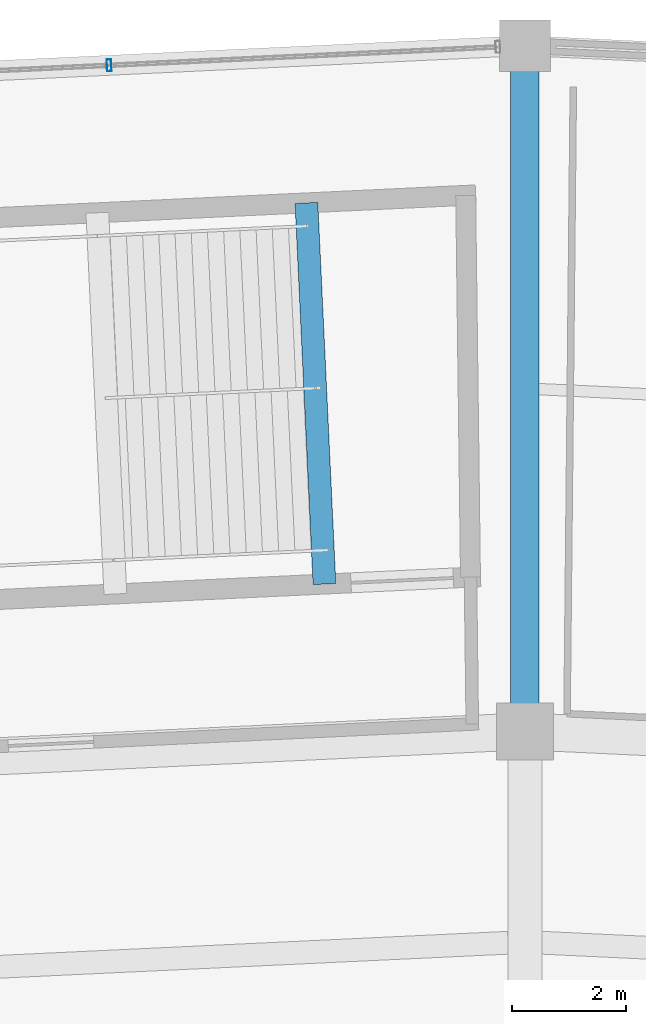
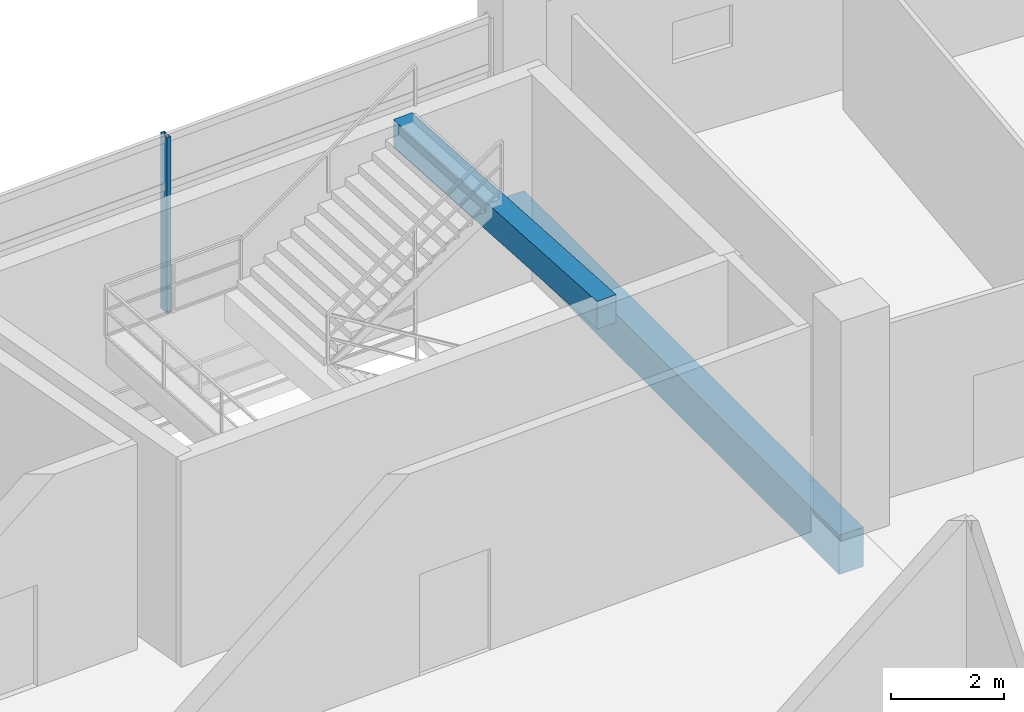
# One storey, part 105 of 171: 2 beams, 1 member, 1 element without a shape of its own.
"""IFC4 building model written with IfcOpenShell, lengths in metres."""

import ifcopenshell
import ifcopenshell.guid

model = None  # the IFC model being written
_history = None  # IfcOwnerHistory: only IFC2X3 demands one
_inside = {}  # id of a spatial element -> (the spatial element, [elements in it])
_under = {}  # id of a project, library or spatial element -> (it, [spatial elements below it])
_declared = {}  # id of a project -> (the project, [libraries it declares])
_typed = {}  # id of a type object -> (the type object, [elements of that type])
_made_of = {}  # id of a material, layer set ... -> (it, [elements and type objects made of it])


def new_model(schema):
    """Start an empty IFC model of exactly this schema.

    Asked for "IFC4X3", IfcOpenShell would pick the latest addendum, in which some entities
    have other attributes; the version numbers below select the first issue.
    IFC2X3 requires an IfcOwnerHistory on every rooted entity: one is made here for all.
    """
    global model, _history
    if schema == "IFC4X3":
        model = ifcopenshell.file(schema_version=(4, 3, 0, 0))
    else:
        model = ifcopenshell.file(schema=schema)
    _inside.clear()
    _under.clear()
    _declared.clear()
    _typed.clear()
    _made_of.clear()
    _history = None
    if model.schema == "IFC2X3":
        org = make("IfcOrganization", Name="unknown")
        user = make(
            "IfcPersonAndOrganization",
            ThePerson=make("IfcPerson", FamilyName="unknown"),
            TheOrganization=org,
        )
        app = make(
            "IfcApplication",
            ApplicationDeveloper=org,
            Version="unknown",
            ApplicationFullName="unknown",
            ApplicationIdentifier="unknown",
        )
        _history = make(
            "IfcOwnerHistory",
            OwningUser=user,
            OwningApplication=app,
            ChangeAction="ADDED",
            CreationDate=0,
        )
    return model


def make(cls, **values):
    """One entity of the class cls with the attributes given. An attribute that is None is left unset."""
    return model.create_entity(
        cls, **{name: value for name, value in values.items() if value is not None}
    )


def rooted(cls, **values):
    """An entity with a GlobalId (a new one), such as an element, a storey or a relation."""
    return make(cls, GlobalId=ifcopenshell.guid.new(), OwnerHistory=_history, **values)


def si_unit(unit_type, name, prefix=None):
    """IfcSIUnit, for example si_unit("LENGTHUNIT", "METRE", prefix="MILLI")."""
    return make("IfcSIUnit", UnitType=unit_type, Prefix=prefix, Name=name)


def assignment(units):
    """IfcUnitAssignment: the units of a project."""
    return None if units is None else make("IfcUnitAssignment", Units=units)


def point(xyz):
    """IfcCartesianPoint."""
    return None if xyz is None else make("IfcCartesianPoint", Coordinates=xyz)


def direction(xyz):
    """IfcDirection."""
    return None if xyz is None else make("IfcDirection", DirectionRatios=xyz)


def frame(location, z_axis=None, x_axis=None):
    """IfcAxis2Placement3D, a coordinate frame: its origin and axes. An axis left out is left unset."""
    return make(
        "IfcAxis2Placement3D",
        Location=point(location),
        Axis=direction(z_axis),
        RefDirection=direction(x_axis),
    )


def frame_2d(location, x_axis=None):
    """IfcAxis2Placement2D, a coordinate frame in the plane: its origin and x axis."""
    return make(
        "IfcAxis2Placement2D", Location=point(location), RefDirection=direction(x_axis)
    )


def origin():
    """The frame at (0, 0, 0) with its axes left unset."""
    return frame((0.0, 0.0, 0.0))


def origin_2d():
    """The frame at (0, 0) in the plane with its x axis left unset."""
    return frame_2d((0.0, 0.0))


def place(relative_to, where):
    """IfcLocalPlacement: puts the frame where relative to a parent placement (None: the world)."""
    return make(
        "IfcLocalPlacement", PlacementRelTo=relative_to, RelativePlacement=where
    )


def context(
    kind, dimensions, precision=None, world=None, true_north=None, identifier=None
):
    """IfcGeometricRepresentationContext, for example the 3D "Model" context."""
    return make(
        "IfcGeometricRepresentationContext",
        ContextIdentifier=identifier,
        ContextType=kind,
        CoordinateSpaceDimension=dimensions,
        Precision=precision,
        WorldCoordinateSystem=world,
        TrueNorth=true_north,
    )


def subcontext(parent, identifier, kind, view, scale=None):
    """IfcGeometricRepresentationSubContext, for example "Body" below "Model"."""
    return make(
        "IfcGeometricRepresentationSubContext",
        ContextIdentifier=identifier,
        ContextType=kind,
        ParentContext=parent,
        TargetScale=scale,
        TargetView=view,
    )


def project(units=None, contexts=None):
    """IfcProject with its units and contexts."""
    return rooted(
        "IfcProject",
        Name="project",
        RepresentationContexts=contexts,
        UnitsInContext=assignment(units),
    )


def spatial(cls, under=None, at=None, **own):
    """A site, building, storey or space (cls), placed at a placement, below another one or the project."""
    s = rooted(cls, ObjectPlacement=at, **own)
    if under is not None:
        _under.setdefault(under.id(), (under, []))[1].append(s)
    return s


def profile(cls, at=None, kind="AREA", **sizes):
    """A parametric profile (cls). Its sizes go by their IFC names, for example OverallWidth=200.0."""
    return make(cls, ProfileType=kind, Position=at, **sizes)


def rectangle(**sizes):
    """IfcRectangleProfileDef."""
    return profile("IfcRectangleProfileDef", **sizes)


def hollow_rectangle(**sizes):
    """IfcRectangleHollowProfileDef."""
    return profile("IfcRectangleHollowProfileDef", **sizes)


def extrude(swept, where, along, depth):
    """IfcExtrudedAreaSolid: the profile swept, set in the frame where, extruded along a direction by depth."""
    return make(
        "IfcExtrudedAreaSolid",
        SweptArea=swept,
        Position=where,
        ExtrudedDirection=direction(along),
        Depth=depth,
    )


def shape(context_of_items, identifier, shape_type, items):
    """IfcShapeRepresentation: the items that make up one representation, for example the "Body"."""
    return make(
        "IfcShapeRepresentation",
        ContextOfItems=context_of_items,
        RepresentationIdentifier=identifier,
        RepresentationType=shape_type,
        Items=items,
    )


def material(Name=None, Category=None):
    """IfcMaterial."""
    return make("IfcMaterial", Name=Name, Category=Category)


def layer(
    of_material, thickness, ventilated=None, Name=None, Category=None, Priority=None
):
    """IfcMaterialLayer: one layer of a wall or slab, of a material (None: an air gap)."""
    return make(
        "IfcMaterialLayer",
        Material=of_material,
        LayerThickness=thickness,
        IsVentilated=ventilated,
        Name=Name,
        Category=Category,
        Priority=Priority,
    )


def layer_set(layers, Name=None):
    """IfcMaterialLayerSet."""
    return make("IfcMaterialLayerSet", MaterialLayers=layers, LayerSetName=Name)


def material_profile(
    of_material, cross_section, Name=None, Category=None, Priority=None
):
    """IfcMaterialProfile: a cross section and its material."""
    return make(
        "IfcMaterialProfile",
        Name=Name,
        Material=of_material,
        Profile=cross_section,
        Priority=Priority,
        Category=Category,
    )


def profile_set(profiles, Name=None, composite=None):
    """IfcMaterialProfileSet."""
    return make(
        "IfcMaterialProfileSet",
        Name=Name,
        MaterialProfiles=profiles,
        CompositeProfile=composite,
    )


def made_of(thing, what):
    """Note that an element or type object is made of a material, layer set ...; save() writes the relation."""
    if what is not None:
        _made_of.setdefault(what.id(), (what, []))[1].append(thing)
    return thing


def type_object(cls, material=None, **own):
    """A type object (cls), such as IfcWallType, which elements share."""
    return made_of(rooted(cls, **own), material)


def element(
    cls,
    number,
    at=None,
    inside=None,
    cuts=None,
    type_object=None,
    material=None,
    context=None,
    identifier="Body",
    shape_type=None,
    held_by="IfcProductDefinitionShape",
    body=None,
    shapes=None,
    **own,
):
    """One element of the class cls, such as IfcWall. Its Tag is "e" and its number.

    at: its placement. inside: the storey or other place that contains it. cuts: it is an
    opening in that element (IfcRelVoidsElement). A single representation is given by context,
    identifier, shape_type and body (its items); several are given by shapes. held_by: the class
    of the entity that holds the representations. save() writes the other relations.
    """
    e = rooted(cls, Tag="e%d" % number, ObjectPlacement=at, **own)
    if body is not None:
        shapes = [shape(context, identifier, shape_type, body)]
    if shapes is not None:
        e.Representation = make(held_by, Representations=shapes)
    if inside is not None:
        _inside.setdefault(inside.id(), (inside, []))[1].append(e)
    if cuts is not None:
        rooted(
            "IfcRelVoidsElement", RelatingBuildingElement=cuts, RelatedOpeningElement=e
        )
    if type_object is not None:
        _typed.setdefault(type_object.id(), (type_object, []))[1].append(e)
    return made_of(e, material)


def aggregate(whole, parts):
    """IfcRelAggregates: a whole, such as a stair, and the parts it consists of."""
    return rooted("IfcRelAggregates", RelatingObject=whole, RelatedObjects=parts)


def save(model, path):
    """Write the relations noted so far, then the file.

    IfcRelAggregates (storeys below a building ...), IfcRelContainedInSpatialStructure (elements
    in a storey), IfcRelDefinesByType, IfcRelAssociatesMaterial and IfcRelDeclares: one each for
    every whole, place, type object, material and project.
    """
    for whole, parts in _under.values():
        aggregate(whole, parts)
    for where, things in _inside.values():
        rooted(
            "IfcRelContainedInSpatialStructure",
            RelatedElements=things,
            RelatingStructure=where,
        )
    for kind, things in _typed.values():
        rooted("IfcRelDefinesByType", RelatedObjects=things, RelatingType=kind)
    for what, things in _made_of.values():
        rooted("IfcRelAssociatesMaterial", RelatedObjects=things, RelatingMaterial=what)
    for by, libraries in _declared.values():
        rooted("IfcRelDeclares", RelatingContext=by, RelatedDefinitions=libraries)
    model.write(path)


model = new_model("IFC4")

# Units and contexts
model_context = context("Model", 3, precision=1e-05, world=origin(), true_north=direction((0.0, 1.0)))
body_context = subcontext(model_context, "Body", "Model", "MODEL_VIEW")
ifc_project = project(units=[si_unit("LENGTHUNIT", "METRE"), si_unit("AREAUNIT", "SQUARE_METRE"), si_unit("VOLUMEUNIT", "CUBIC_METRE"), si_unit("PLANEANGLEUNIT", "RADIAN"), si_unit("MASSUNIT", "GRAM", prefix="KILO")], contexts=[model_context])

# Site, building, storey
site_placement = place(None, origin())
site = spatial("IfcSite", under=ifc_project, at=site_placement, CompositionType="ELEMENT")
building_placement = place(site_placement, origin())
building = spatial("IfcBuilding", under=site, at=building_placement, Name="Kazemori Nagisa Stadium", CompositionType="ELEMENT")
storey_placement = place(building_placement, frame((0.0, 0.0, 15.639892578125)))
storey = spatial("IfcBuildingStorey", under=building, at=storey_placement, Name="L03", CompositionType="ELEMENT", Elevation=15.639892578125)

# Beams
ifc_material_1 = material(Name="Concrete C40/50 (Fc42)", Category="concrete")
ifc_material_profile_1 = material_profile(ifc_material_1, rectangle(XDim=0.39990234375, YDim=0.60009765625, at=origin_2d()), Name="RC-BM-400x600")
ifc_profile_set_1 = profile_set([ifc_material_profile_1], Name="Concrete C40/50 (Fc42)")
beam_type_1 = type_object("IfcBeamType", Name="Beam_BG-LND400X600", PredefinedType="BEAM", material=ifc_profile_set_1)
beam_1_placement = place(storey_placement, frame((119.48046875, 178.545654296875, 4.16015625), z_axis=(-0.047222374852, 0.998884401377, 0.0), x_axis=(-0.998884401377, -0.047222374852, 0.0)))
element("IfcBeam", 1, at=beam_1_placement, inside=storey, type_object=beam_type_1, Name="Core stair arrival header girder ST05-L03", PredefinedType="BEAM", context=body_context, shape_type="SweptSolid", body=[
    extrude(rectangle(XDim=0.39990234375, YDim=0.60009765625, at=origin_2d()), origin(), (0.0, 0.0, 1.0), 6.700439453125),
])
ifc_material_profile_2 = material_profile(ifc_material_1, rectangle(XDim=0.5, YDim=0.85009765625, at=origin_2d()), Name="RC-BM-500x850")
ifc_profile_set_2 = profile_set([ifc_material_profile_2], Name="Concrete C40/50 (Fc42)")
beam_type_2 = type_object("IfcBeamType", Name="Beam_BG-RC500X850", PredefinedType="BEAM", material=ifc_profile_set_2)
beam_2_placement = place(storey_placement, frame((123.0, 175.9599609375, -0.684814453125), z_axis=(0.0, 1.0, 0.0), x_axis=(-1.0, 0.0, 0.0)))
element("IfcBeam", 2, at=beam_2_placement, inside=storey, type_object=beam_type_2, Name="Radial girder BG-RC500X850 L03 R2-R3-08", PredefinedType="BEAM", context=body_context, shape_type="SweptSolid", body=[
    extrude(rectangle(XDim=0.5, YDim=0.85009765625, at=origin_2d()), origin(), (0.0, 0.0, 1.0), 12.0400390625),
])

# Curtain wall, member
ifc_material_2 = material(Name="Anodised aluminium 6063-T5", Category="aluminium")
ifc_layer = layer(ifc_material_2, 0.2099609375, Name="Anodised aluminium 6063-T5", Category="aluminium")
ifc_layer_set = layer_set([ifc_layer], Name="Anodised aluminium 6063-T5")
curtain_wall_type = type_object("IfcCurtainWallType", Name="CW_L03R3_103", PredefinedType="USERDEFINED", material=ifc_layer_set)
curtain_wall_placement = place(storey_placement, origin())
curtain_wall = element("IfcCurtainWall", 3, at=curtain_wall_placement, inside=storey, type_object=curtain_wall_type, Name="Unitised curtain wall CW-L03R3-103 L03", ObjectType="UNITISED CURTAIN WALL", PredefinedType="USERDEFINED")
ifc_material_3 = material(Name="Aluminium 6063-T5 anodised", Category="aluminium")
ifc_material_profile_3 = material_profile(ifc_material_3, hollow_rectangle(XDim=0.080078125, YDim=0.2099609375, WallThickness=0.0048828125, at=origin_2d()), Name="ALU-MULL-80x210x5")
ifc_profile_set_3 = profile_set([ifc_material_profile_3], Name="Aluminium 6063-T5 anodised")
member_type = type_object("IfcMemberType", Name="Mullion_M02", PredefinedType="MULLION", material=ifc_profile_set_3)
member_placement = place(storey_placement, frame((115.69921875, 187.65478515625, 0.0), z_axis=(0.0, 0.0, 1.0), x_axis=(-0.998884022476, -0.047230388971, 0.0)))
member = element("IfcMember", 4, at=member_placement, type_object=member_type, Name="Curtain wall mullion CW-L03R3-103-M2", PredefinedType="MULLION", context=body_context, shape_type="SweptSolid", body=[
    extrude(hollow_rectangle(XDim=0.080078125, YDim=0.2099609375, WallThickness=0.0048828125, at=origin_2d()), origin(), (0.0, 0.0, 1.0), 3.81005859375),
])
aggregate(curtain_wall, [member])

save(model, "model.ifc")
